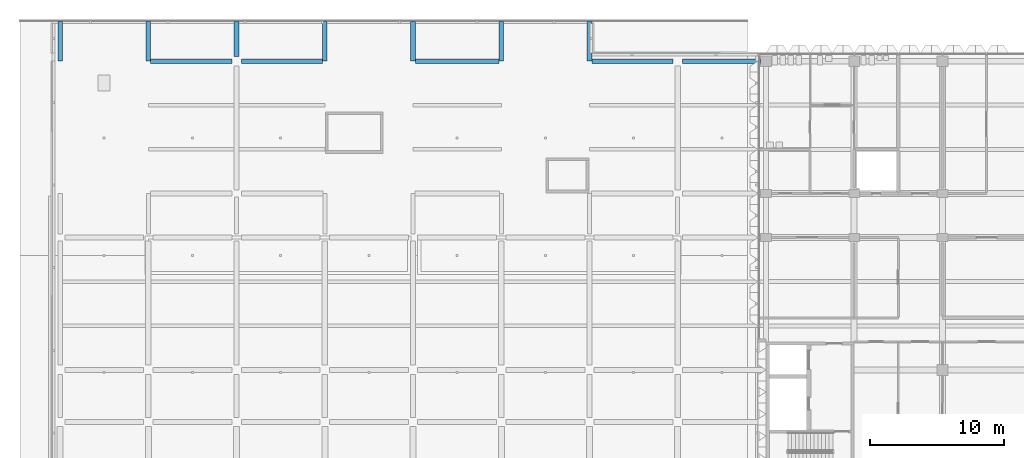
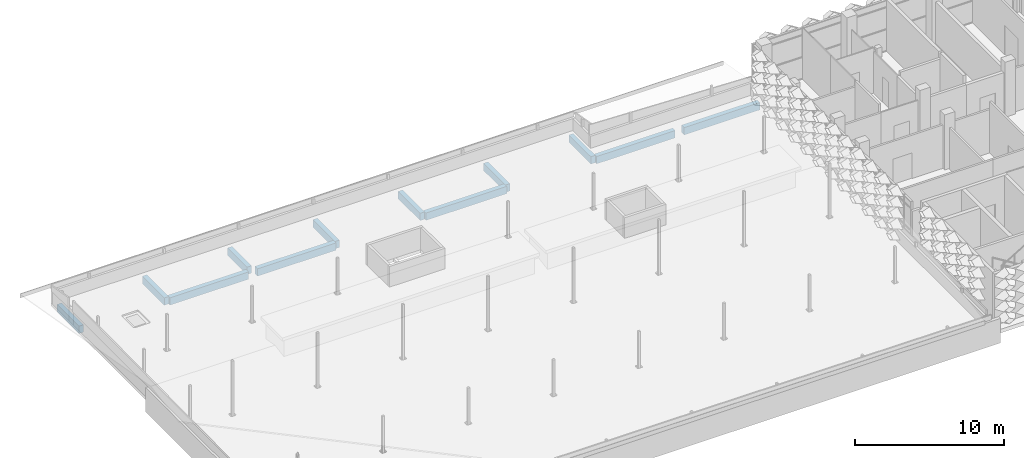
# One storey, part 5 of 39: 12 beams.
"""IFC4 building model written with IfcOpenShell, lengths in metres."""

import ifcopenshell
import ifcopenshell.guid

model = None  # the IFC model being written
_history = None  # IfcOwnerHistory: only IFC2X3 demands one
_inside = {}  # id of a spatial element -> (the spatial element, [elements in it])
_under = {}  # id of a project, library or spatial element -> (it, [spatial elements below it])
_declared = {}  # id of a project -> (the project, [libraries it declares])
_typed = {}  # id of a type object -> (the type object, [elements of that type])
_made_of = {}  # id of a material, layer set ... -> (it, [elements and type objects made of it])


def new_model(schema):
    """Start an empty IFC model of exactly this schema.

    Asked for "IFC4X3", IfcOpenShell would pick the latest addendum, in which some entities
    have other attributes; the version numbers below select the first issue.
    IFC2X3 requires an IfcOwnerHistory on every rooted entity: one is made here for all.
    """
    global model, _history
    if schema == "IFC4X3":
        model = ifcopenshell.file(schema_version=(4, 3, 0, 0))
    else:
        model = ifcopenshell.file(schema=schema)
    _inside.clear()
    _under.clear()
    _declared.clear()
    _typed.clear()
    _made_of.clear()
    _history = None
    if model.schema == "IFC2X3":
        org = make("IfcOrganization", Name="unknown")
        user = make(
            "IfcPersonAndOrganization",
            ThePerson=make("IfcPerson", FamilyName="unknown"),
            TheOrganization=org,
        )
        app = make(
            "IfcApplication",
            ApplicationDeveloper=org,
            Version="unknown",
            ApplicationFullName="unknown",
            ApplicationIdentifier="unknown",
        )
        _history = make(
            "IfcOwnerHistory",
            OwningUser=user,
            OwningApplication=app,
            ChangeAction="ADDED",
            CreationDate=0,
        )
    return model


def make(cls, **values):
    """One entity of the class cls with the attributes given. An attribute that is None is left unset."""
    return model.create_entity(
        cls, **{name: value for name, value in values.items() if value is not None}
    )


def rooted(cls, **values):
    """An entity with a GlobalId (a new one), such as an element, a storey or a relation."""
    return make(cls, GlobalId=ifcopenshell.guid.new(), OwnerHistory=_history, **values)


def si_unit(unit_type, name, prefix=None):
    """IfcSIUnit, for example si_unit("LENGTHUNIT", "METRE", prefix="MILLI")."""
    return make("IfcSIUnit", UnitType=unit_type, Prefix=prefix, Name=name)


def assignment(units):
    """IfcUnitAssignment: the units of a project."""
    return None if units is None else make("IfcUnitAssignment", Units=units)


def point(xyz):
    """IfcCartesianPoint."""
    return None if xyz is None else make("IfcCartesianPoint", Coordinates=xyz)


def direction(xyz):
    """IfcDirection."""
    return None if xyz is None else make("IfcDirection", DirectionRatios=xyz)


def frame(location, z_axis=None, x_axis=None):
    """IfcAxis2Placement3D, a coordinate frame: its origin and axes. An axis left out is left unset."""
    return make(
        "IfcAxis2Placement3D",
        Location=point(location),
        Axis=direction(z_axis),
        RefDirection=direction(x_axis),
    )


def frame_2d(location, x_axis=None):
    """IfcAxis2Placement2D, a coordinate frame in the plane: its origin and x axis."""
    return make(
        "IfcAxis2Placement2D", Location=point(location), RefDirection=direction(x_axis)
    )


def origin():
    """The frame at (0, 0, 0) with its axes left unset."""
    return frame((0.0, 0.0, 0.0))


def origin_2d():
    """The frame at (0, 0) in the plane with its x axis left unset."""
    return frame_2d((0.0, 0.0))


def place(relative_to, where):
    """IfcLocalPlacement: puts the frame where relative to a parent placement (None: the world)."""
    return make(
        "IfcLocalPlacement", PlacementRelTo=relative_to, RelativePlacement=where
    )


def context(
    kind, dimensions, precision=None, world=None, true_north=None, identifier=None
):
    """IfcGeometricRepresentationContext, for example the 3D "Model" context."""
    return make(
        "IfcGeometricRepresentationContext",
        ContextIdentifier=identifier,
        ContextType=kind,
        CoordinateSpaceDimension=dimensions,
        Precision=precision,
        WorldCoordinateSystem=world,
        TrueNorth=true_north,
    )


def subcontext(parent, identifier, kind, view, scale=None):
    """IfcGeometricRepresentationSubContext, for example "Body" below "Model"."""
    return make(
        "IfcGeometricRepresentationSubContext",
        ContextIdentifier=identifier,
        ContextType=kind,
        ParentContext=parent,
        TargetScale=scale,
        TargetView=view,
    )


def project(units=None, contexts=None):
    """IfcProject with its units and contexts."""
    return rooted(
        "IfcProject",
        Name="project",
        RepresentationContexts=contexts,
        UnitsInContext=assignment(units),
    )


def spatial(cls, under=None, at=None, **own):
    """A site, building, storey or space (cls), placed at a placement, below another one or the project."""
    s = rooted(cls, ObjectPlacement=at, **own)
    if under is not None:
        _under.setdefault(under.id(), (under, []))[1].append(s)
    return s


def profile(cls, at=None, kind="AREA", **sizes):
    """A parametric profile (cls). Its sizes go by their IFC names, for example OverallWidth=200.0."""
    return make(cls, ProfileType=kind, Position=at, **sizes)


def rectangle(**sizes):
    """IfcRectangleProfileDef."""
    return profile("IfcRectangleProfileDef", **sizes)


def extrude(swept, where, along, depth):
    """IfcExtrudedAreaSolid: the profile swept, set in the frame where, extruded along a direction by depth."""
    return make(
        "IfcExtrudedAreaSolid",
        SweptArea=swept,
        Position=where,
        ExtrudedDirection=direction(along),
        Depth=depth,
    )


def shape(context_of_items, identifier, shape_type, items):
    """IfcShapeRepresentation: the items that make up one representation, for example the "Body"."""
    return make(
        "IfcShapeRepresentation",
        ContextOfItems=context_of_items,
        RepresentationIdentifier=identifier,
        RepresentationType=shape_type,
        Items=items,
    )


def material(Name=None, Category=None):
    """IfcMaterial."""
    return make("IfcMaterial", Name=Name, Category=Category)


def material_profile(
    of_material, cross_section, Name=None, Category=None, Priority=None
):
    """IfcMaterialProfile: a cross section and its material."""
    return make(
        "IfcMaterialProfile",
        Name=Name,
        Material=of_material,
        Profile=cross_section,
        Priority=Priority,
        Category=Category,
    )


def profile_set(profiles, Name=None, composite=None):
    """IfcMaterialProfileSet."""
    return make(
        "IfcMaterialProfileSet",
        Name=Name,
        MaterialProfiles=profiles,
        CompositeProfile=composite,
    )


def made_of(thing, what):
    """Note that an element or type object is made of a material, layer set ...; save() writes the relation."""
    if what is not None:
        _made_of.setdefault(what.id(), (what, []))[1].append(thing)
    return thing


def type_object(cls, material=None, **own):
    """A type object (cls), such as IfcWallType, which elements share."""
    return made_of(rooted(cls, **own), material)


def element(
    cls,
    number,
    at=None,
    inside=None,
    cuts=None,
    type_object=None,
    material=None,
    context=None,
    identifier="Body",
    shape_type=None,
    held_by="IfcProductDefinitionShape",
    body=None,
    shapes=None,
    **own,
):
    """One element of the class cls, such as IfcWall. Its Tag is "e" and its number.

    at: its placement. inside: the storey or other place that contains it. cuts: it is an
    opening in that element (IfcRelVoidsElement). A single representation is given by context,
    identifier, shape_type and body (its items); several are given by shapes. held_by: the class
    of the entity that holds the representations. save() writes the other relations.
    """
    e = rooted(cls, Tag="e%d" % number, ObjectPlacement=at, **own)
    if body is not None:
        shapes = [shape(context, identifier, shape_type, body)]
    if shapes is not None:
        e.Representation = make(held_by, Representations=shapes)
    if inside is not None:
        _inside.setdefault(inside.id(), (inside, []))[1].append(e)
    if cuts is not None:
        rooted(
            "IfcRelVoidsElement", RelatingBuildingElement=cuts, RelatedOpeningElement=e
        )
    if type_object is not None:
        _typed.setdefault(type_object.id(), (type_object, []))[1].append(e)
    return made_of(e, material)


def aggregate(whole, parts):
    """IfcRelAggregates: a whole, such as a stair, and the parts it consists of."""
    return rooted("IfcRelAggregates", RelatingObject=whole, RelatedObjects=parts)


def save(model, path):
    """Write the relations noted so far, then the file.

    IfcRelAggregates (storeys below a building ...), IfcRelContainedInSpatialStructure (elements
    in a storey), IfcRelDefinesByType, IfcRelAssociatesMaterial and IfcRelDeclares: one each for
    every whole, place, type object, material and project.
    """
    for whole, parts in _under.values():
        aggregate(whole, parts)
    for where, things in _inside.values():
        rooted(
            "IfcRelContainedInSpatialStructure",
            RelatedElements=things,
            RelatingStructure=where,
        )
    for kind, things in _typed.values():
        rooted("IfcRelDefinesByType", RelatedObjects=things, RelatingType=kind)
    for what, things in _made_of.values():
        rooted("IfcRelAssociatesMaterial", RelatedObjects=things, RelatingMaterial=what)
    for by, libraries in _declared.values():
        rooted("IfcRelDeclares", RelatingContext=by, RelatedDefinitions=libraries)
    model.write(path)


model = new_model("IFC4")

# Units and contexts
model_context = context("Model", 3, precision=1e-05, world=origin(), true_north=direction((0.0, 1.0)))
body_context = subcontext(model_context, "Body", "Model", "MODEL_VIEW")
ifc_project = project(units=[si_unit("LENGTHUNIT", "METRE"), si_unit("AREAUNIT", "SQUARE_METRE"), si_unit("VOLUMEUNIT", "CUBIC_METRE"), si_unit("PLANEANGLEUNIT", "RADIAN"), si_unit("MASSUNIT", "GRAM", prefix="KILO")], contexts=[model_context])

# Site, building, storey
site_placement = place(None, origin())
site = spatial("IfcSite", under=ifc_project, at=site_placement, CompositionType="ELEMENT")
building_placement = place(site_placement, origin())
building = spatial("IfcBuilding", under=site, at=building_placement, Name="Lantern Court Research Institute", CompositionType="ELEMENT")
storey_placement = place(building_placement, frame((0.0, 0.0, 27.89990234375)))
storey = spatial("IfcBuildingStorey", under=building, at=storey_placement, Name="L06", CompositionType="ELEMENT", Elevation=27.89990234375)

# Beams
ifc_material_1 = material(Name="Concrete C40/50", Category="concrete")
ifc_material_profile_1 = material_profile(ifc_material_1, rectangle(XDim=0.35009765625, YDim=0.60009765625, at=origin_2d()), Name="RC beam 350 x 600")
ifc_profile_set_1 = profile_set([ifc_material_profile_1], Name="Concrete C40/50")
beam_type_1 = type_object("IfcBeamType", Name="RC eaves cantilever beam 350 x 600", PredefinedType="BEAM", material=ifc_profile_set_1)
for number, where, z_axis, x_axis, name in (
    (1, (0.0, 23.10009765625, -0.5498046875), (0.0, 1.0, 0.0), (-1.0, 0.0, 0.0), "Cantilever beam L06 grid 1/D eaves"),
    (2, (6.60009765625, 23.10009765625, -0.5498046875), (0.0, 1.0, 0.0), (-1.0, 0.0, 0.0), "Cantilever beam L06 grid 2/D eaves"),
):
    element("IfcBeam", number, at=place(storey_placement, frame(where, z_axis=z_axis, x_axis=x_axis)), inside=storey, type_object=beam_type_1, Name=name, PredefinedType="BEAM", context=body_context, shape_type="SweptSolid", body=[
        extrude(rectangle(XDim=0.35009765625, YDim=0.60009765625, at=origin_2d()), origin(), (0.0, 0.0, 1.0), 2.949951171875),
    ])
beam_1_placement = place(storey_placement, frame((13.199951171875, 23.449951171875, -0.5498046875), z_axis=(0.0, 1.0, 0.0), x_axis=(-1.0, 0.0, 0.0)))
element("IfcBeam", 3, at=beam_1_placement, inside=storey, type_object=beam_type_1, Name="Cantilever beam L06 grid 3/D eaves", PredefinedType="BEAM", context=body_context, shape_type="SweptSolid", body=[
    extrude(rectangle(XDim=0.35009765625, YDim=0.60009765625, at=origin_2d()), origin(), (0.0, 0.0, 1.0), 2.60009765625),
])
for number, where, z_axis, x_axis, name in (
    (4, (19.800048828125, 23.10009765625, -0.5498046875), (0.0, 1.0, 0.0), (-1.0, 0.0, 0.0), "Cantilever beam L06 grid 4/D eaves"),
    (5, (26.39990234375, 23.10009765625, -0.5498046875), (0.0, 1.0, 0.0), (-1.0, 0.0, 0.0), "Cantilever beam L06 grid 5/D eaves"),
    (6, (33.0, 23.10009765625, -0.5498046875), (0.0, 1.0, 0.0), (-1.0, 0.0, 0.0), "Cantilever beam L06 grid 6/D eaves"),
    (7, (39.60009765625, 23.10009765625, -0.5498046875), (0.0, 1.0, 0.0), (-1.0, 0.0, 0.0), "Cantilever beam L06 grid 7/D eaves"),
):
    element("IfcBeam", number, at=place(storey_placement, frame(where, z_axis=z_axis, x_axis=x_axis)), inside=storey, type_object=beam_type_1, Name=name, PredefinedType="BEAM", context=body_context, shape_type="SweptSolid", body=[
        extrude(rectangle(XDim=0.35009765625, YDim=0.60009765625, at=origin_2d()), origin(), (0.0, 0.0, 1.0), 2.949951171875),
    ])
ifc_material_2 = material(Name="Concrete C40/50", Category="concrete")
ifc_material_profile_2 = material_profile(ifc_material_2, rectangle(XDim=0.35009765625, YDim=0.60009765625, at=origin_2d()), Name="RC beam 350 x 600")
ifc_profile_set_2 = profile_set([ifc_material_profile_2], Name="Concrete C40/50")
beam_type_2 = type_object("IfcBeamType", Name="RC edge beam 350 x 600", PredefinedType="BEAM", material=ifc_profile_set_2)
beam_2_placement = place(storey_placement, frame((6.77490234375, 23.10009765625, -0.5498046875), z_axis=(1.0, 0.0, 0.0), x_axis=(0.0, 1.0, 0.0)))
element("IfcBeam", 8, at=beam_2_placement, inside=storey, type_object=beam_type_2, Name="Edge beam L06 grid D/2-3", PredefinedType="BEAM", context=body_context, shape_type="SweptSolid", body=[
    extrude(rectangle(XDim=0.35009765625, YDim=0.60009765625, at=origin_2d()), origin(), (0.0, 0.0, 1.0), 6.0751953125),
])
beam_3_placement = place(storey_placement, frame((13.550048828125, 23.10009765625, -0.5498046875), z_axis=(1.0, 0.0, 0.0), x_axis=(0.0, 1.0, 0.0)))
element("IfcBeam", 9, at=beam_3_placement, inside=storey, type_object=beam_type_2, Name="Edge beam L06 grid D/3-4", PredefinedType="BEAM", context=body_context, shape_type="SweptSolid", body=[
    extrude(rectangle(XDim=0.35009765625, YDim=0.60009765625, at=origin_2d()), origin(), (0.0, 0.0, 1.0), 6.074951171875),
])
beam_4_placement = place(storey_placement, frame((26.574951171875, 23.10009765625, -0.5498046875), z_axis=(1.0, 0.0, 0.0), x_axis=(0.0, 1.0, 0.0)))
element("IfcBeam", 10, at=beam_4_placement, inside=storey, type_object=beam_type_2, Name="Edge beam L06 grid D/5-6", PredefinedType="BEAM", context=body_context, shape_type="SweptSolid", body=[
    extrude(rectangle(XDim=0.35009765625, YDim=0.60009765625, at=origin_2d()), origin(), (0.0, 0.0, 1.0), 6.25),
])
beam_5_placement = place(storey_placement, frame((39.77490234375, 23.10009765625, -0.5498046875), z_axis=(1.0, 0.0, 0.0), x_axis=(0.0, 1.0, 0.0)))
element("IfcBeam", 11, at=beam_5_placement, inside=storey, type_object=beam_type_2, Name="Edge beam L06 grid D/7-8", PredefinedType="BEAM", context=body_context, shape_type="SweptSolid", body=[
    extrude(rectangle(XDim=0.35009765625, YDim=0.60009765625, at=origin_2d()), origin(), (0.0, 0.0, 1.0), 6.0751953125),
])
beam_6_placement = place(storey_placement, frame((46.550048828125, 23.10009765625, -0.5498046875), z_axis=(1.0, 0.0, 0.0), x_axis=(0.0, 1.0, 0.0)))
element("IfcBeam", 12, at=beam_6_placement, inside=storey, type_object=beam_type_2, Name="Edge beam L06 grid D/8-9", PredefinedType="BEAM", context=body_context, shape_type="SweptSolid", body=[
    extrude(rectangle(XDim=0.35009765625, YDim=0.60009765625, at=origin_2d()), origin(), (0.0, 0.0, 1.0), 5.849853515625),
])

save(model, "model.ifc")
